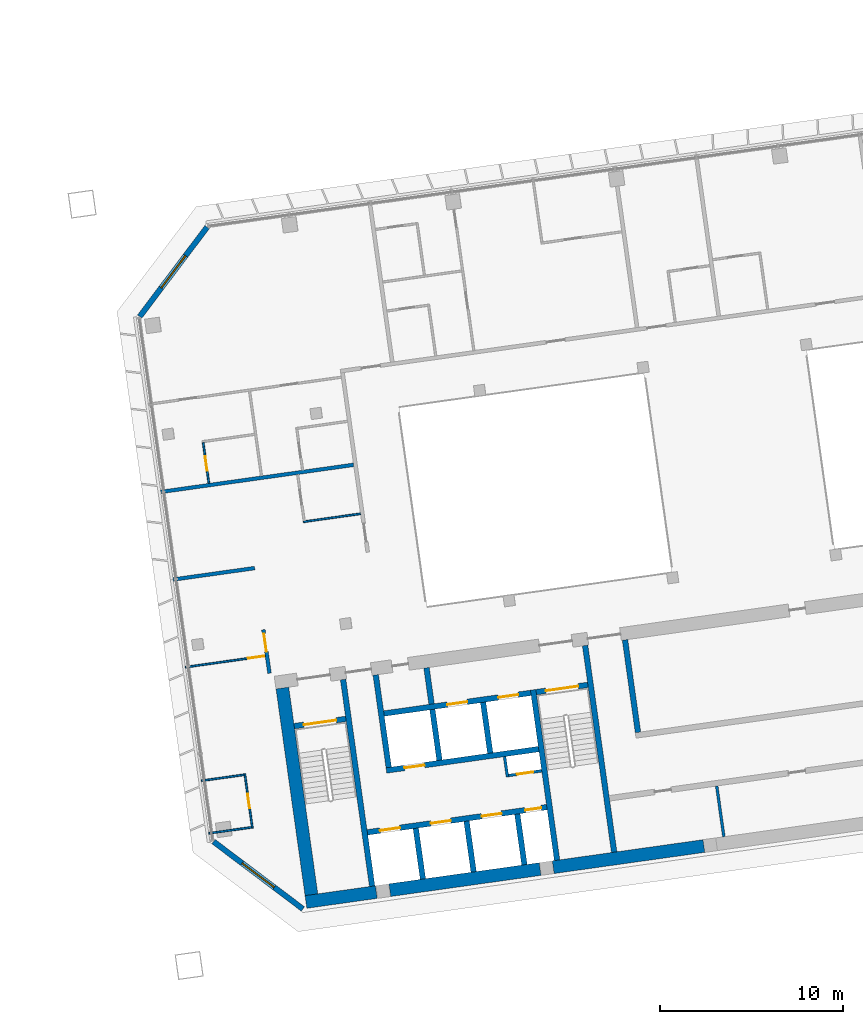
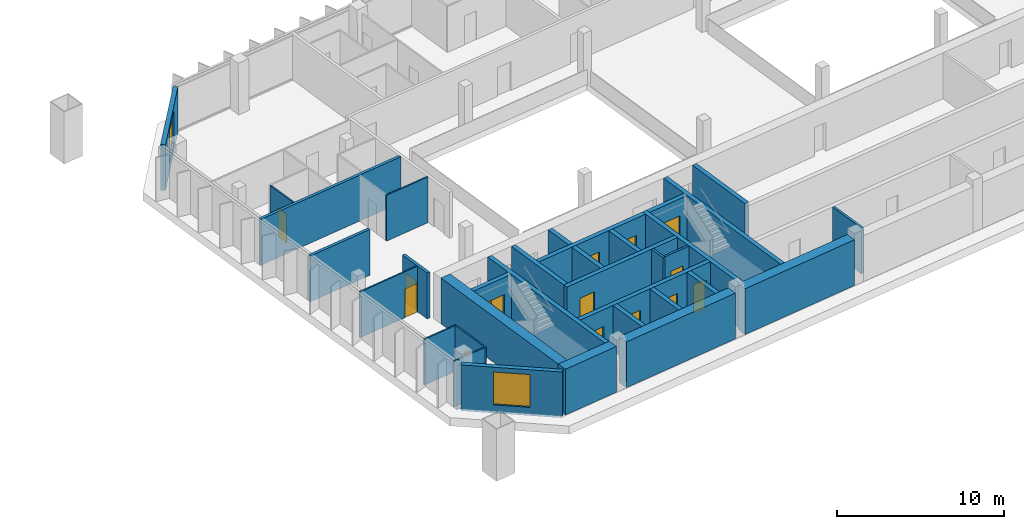
# One storey, part 21 of 31: 34 walls, 14 doors, 2 windows, 16 openings.
"""IFC4 building model written with IfcOpenShell, lengths in metres."""

from ifc_helpers import new_model, si_unit, direction, frame, frame_2d, origin, place, context, subcontext, project, spatial, rectangle, extrude, material, layer, layer_set, type_object, element, fill, save


model = new_model("IFC4")

# Units and contexts
model_context = context("Model", 3, precision=1e-05, world=origin(), true_north=direction((0.0, 1.0)))
body_context = subcontext(model_context, "Body", "Model", "MODEL_VIEW")
ifc_project = project(units=[si_unit("LENGTHUNIT", "METRE"), si_unit("AREAUNIT", "SQUARE_METRE"), si_unit("VOLUMEUNIT", "CUBIC_METRE"), si_unit("PLANEANGLEUNIT", "RADIAN"), si_unit("MASSUNIT", "GRAM", prefix="KILO")], contexts=[model_context])

# Site, building, storey
site_placement = place(None, origin())
site = spatial("IfcSite", under=ifc_project, at=site_placement, CompositionType="ELEMENT")
building_placement = place(site_placement, origin())
building = spatial("IfcBuilding", under=site, at=building_placement, Name="Mirante Cascada Hotel Towers", CompositionType="ELEMENT")
storey_placement = place(building_placement, frame((0.0, 0.0, 157.4)))
storey = spatial("IfcBuildingStorey", under=building, at=storey_placement, Name="L36", CompositionType="ELEMENT", Elevation=157.4)

# Walls
ifc_material_1 = material(Name="Fire-rated plasterboard on metal studs")
ifc_layer_1 = layer(ifc_material_1, 0.2)
ifc_layer_set_1 = layer_set([ifc_layer_1], Name="Compartment wall 200 EI 120")
wall_type_1 = type_object("IfcWallType", Name="Compartment wall 200 EI 120", PredefinedType="PARTITIONING", material=ifc_layer_set_1)
wall_1_placement = place(storey_placement, frame((29.9646, -2.005, 0.0), z_axis=(0.0, 0.0, 1.0), x_axis=(0.9902678, 0.1391748, 0.0)))
element("IfcWall", 1, at=wall_1_placement, inside=storey, type_object=wall_type_1, Name="Wall 2-L36-07", PredefinedType="PARTITIONING", context=body_context, shape_type="SweptSolid", body=[
    extrude(rectangle(XDim=4.5001, YDim=0.2, at=frame_2d((2.25, 0.0))), origin(), (0.0, 0.0, 1.0), 3.35),
])
wall_2_placement = place(storey_placement, frame((39.8242, 4.2615, 0.0), z_axis=(0.0, 0.0, 1.0), x_axis=(-0.9902681, -0.1391727, 0.0)))
element("IfcWall", 2, at=wall_2_placement, inside=storey, type_object=wall_type_1, Name="Wall 2-L36-14", PredefinedType="PARTITIONING", context=body_context, shape_type="SweptSolid", body=[
    extrude(rectangle(XDim=10.6357, YDim=0.2, at=frame_2d((5.3178, 0.0))), origin(), (0.0, 0.0, 1.0), 3.35),
])

# Wall, opening, door
wall_3_placement = place(storey_placement, frame((35.2281, -7.1222, 0.0), z_axis=(0.0, 0.0, 1.0), x_axis=(-0.1392101, 0.9902629, 0.0)))
wall_3 = element("IfcWall", 3, at=wall_3_placement, inside=storey, type_object=wall_type_1, Name="Wall 2-L36-29", PredefinedType="PARTITIONING", context=body_context, shape_type="SweptSolid", body=[
    extrude(rectangle(XDim=2.4, YDim=0.2, at=frame_2d((1.2, 0.0))), origin(), (0.0, 0.0, 1.0), 3.35),
])
opening_1_placement = place(wall_3_placement, frame((1.1833, 0.0, 0.0)))
opening_1 = element("IfcOpeningElement", 4, at=opening_1_placement, cuts=wall_3, Name="Opening D2-L36-20", PredefinedType="OPENING", context=body_context, shape_type="SweptSolid", body=[
    extrude(rectangle(XDim=1.0, YDim=2.1, at=frame_2d((0.5, 1.05))), frame((0.0, 0.1, 0.0), z_axis=(0.0, -1.0, 0.0), x_axis=(1.0, 0.0, 0.0)), (0.0, 0.0, 1.0), 0.2),
])
ifc_material_2 = material(Name="Fire-rated timber door leaf", Category="wood")
door_type_1 = type_object("IfcDoorType", Name="Entrance door DG1 1000x2100 EI 60", OperationType="SINGLE_SWING_LEFT", PredefinedType="DOOR", material=ifc_material_2)
door_1_placement = place(opening_1_placement, origin())
door_1 = element("IfcDoor", 5, at=door_1_placement, inside=storey, type_object=door_type_1, Name="Door D2-L36-20", OperationType="SINGLE_SWING_LEFT", OverallHeight=2.1, OverallWidth=1.0, PredefinedType="DOOR", context=body_context, shape_type="SweptSolid", body=[
    extrude(rectangle(XDim=1.0, YDim=2.1, at=frame_2d((0.5, 1.05))), frame((0.0, 0.025, 0.0), z_axis=(0.0, -1.0, 0.0), x_axis=(1.0, 0.0, 0.0)), (0.0, 0.0, 1.0), 0.05),
])
fill(opening_1, door_1)

# Wall
ifc_material_3 = material(Name="Masonry block", Category="masonry")
ifc_layer_2 = layer(ifc_material_3, 0.15)
ifc_layer_set_2 = layer_set([ifc_layer_2], Name="Core room partition 150 block EI 30")
wall_type_2 = type_object("IfcWallType", Name="Core room partition 150 block EI 30", PredefinedType="PARTITIONING", material=ifc_layer_set_2)
wall_4_placement = place(storey_placement, frame((48.2295, -12.793, 0.0), z_axis=(0.0, 0.0, 1.0), x_axis=(-0.1391935, 0.9902652, 0.0)))
element("IfcWall", 6, at=wall_4_placement, inside=storey, type_object=wall_type_2, Name="Core wall partition T2 L36 2", PredefinedType="PARTITIONING", context=body_context, shape_type="SweptSolid", body=[
    extrude(rectangle(XDim=1.1251, YDim=0.15, at=frame_2d((0.5626, 0.0))), origin(), (0.0, 0.0, 1.0), 3.35),
])

# Wall, opening, door
wall_5_placement = place(storey_placement, frame((48.2933, -12.7083, 0.0), z_axis=(0.0, 0.0, 1.0), x_axis=(0.990268, 0.1391734, 0.0)))
wall_5 = element("IfcWall", 7, at=wall_5_placement, inside=storey, type_object=wall_type_2, Name="Core wall partition T2 L36 3", PredefinedType="PARTITIONING", context=body_context, shape_type="SweptSolid", body=[
    extrude(rectangle(XDim=1.8251, YDim=0.15, at=frame_2d((0.9126, 0.0))), origin(), (0.0, 0.0, 1.0), 3.35),
])
opening_2_placement = place(wall_5_placement, frame((0.4625, 0.0, 0.0)))
opening_2 = element("IfcOpeningElement", 8, at=opening_2_placement, cuts=wall_5, Name="Opening D2-36-C17", PredefinedType="OPENING", context=body_context, shape_type="SweptSolid", body=[
    extrude(rectangle(XDim=0.9, YDim=2.1, at=frame_2d((0.45, 1.05))), frame((0.0, 0.075, 0.0), z_axis=(0.0, -1.0, 0.0), x_axis=(1.0, 0.0, 0.0)), (0.0, 0.0, 1.0), 0.15),
])
ifc_material_4 = material(Name="Hollow metal fire door leaf")
door_type_2 = type_object("IfcDoorType", Name="Fire door 900x2100 FD60", OperationType="NOTDEFINED", PredefinedType="DOOR", material=ifc_material_4)
door_2_placement = place(opening_2_placement, frame((0.9, 0.0, 0.0), z_axis=(0.0, 0.0, 1.0), x_axis=(-1.0, 0.0, 0.0)))
door_2 = element("IfcDoor", 9, at=door_2_placement, inside=storey, type_object=door_type_2, Name="Riser door T2 L36 17", OperationType="SINGLE_SWING_RIGHT", OverallHeight=2.1, OverallWidth=0.9, PredefinedType="DOOR", context=body_context, shape_type="SweptSolid", body=[
    extrude(rectangle(XDim=0.9, YDim=2.1, at=frame_2d((0.45, 1.05))), frame((0.0, 0.025, 0.0), z_axis=(0.0, -1.0, 0.0), x_axis=(1.0, 0.0, 0.0)), (0.0, 0.0, 1.0), 0.05),
])
fill(opening_2, door_2)

# Walls
wall_6_placement = place(storey_placement, frame((60.0485, -16.0548, 0.0), z_axis=(0.0, 0.0, 1.0), x_axis=(-0.139181, 0.990267, 0.0)))
element("IfcWall", 10, at=wall_6_placement, inside=storey, type_object=wall_type_2, Name="Core wall partition T2 L36 5", PredefinedType="PARTITIONING", context=body_context, shape_type="SweptSolid", body=[
    extrude(rectangle(XDim=2.8, YDim=0.15, at=frame_2d((1.4, 0.0))), origin(), (0.0, 0.0, 1.0), 3.35),
])
ifc_material_5 = material(Name="Masonry block", Category="masonry")
ifc_layer_3 = layer(ifc_material_5, 0.3)
ifc_layer_set_3 = layer_set([ifc_layer_3], Name="Core wall 300 block EI 120")
wall_type_3 = type_object("IfcWallType", Name="Core wall 300 block EI 120", PredefinedType="PARTITIONING", material=ifc_layer_set_3)
wall_7_placement = place(storey_placement, frame((44.0843, -8.8061, 0.0), z_axis=(0.0, 0.0, 1.0), x_axis=(-0.1391951, 0.990265, 0.0)))
element("IfcWall", 11, at=wall_7_placement, inside=storey, type_object=wall_type_3, Name="Core wall partition T2 L36 1", PredefinedType="PARTITIONING", context=body_context, shape_type="SweptSolid", body=[
    extrude(rectangle(XDim=2.0001, YDim=0.3, at=frame_2d((1.0001, 0.0))), origin(), (0.0, 0.0, 1.0), 3.35),
])
ifc_material_6 = material(Name="Plasterboard on metal studs")
ifc_layer_4 = layer(ifc_material_6, 0.1)
ifc_layer_set_4 = layer_set([ifc_layer_4], Name="Partition 100")
wall_type_4 = type_object("IfcWallType", Name="Partition 100", PredefinedType="PARTITIONING", material=ifc_layer_set_4)
for number, where, z_axis, x_axis, name in (
    (12, (31.9131, -15.8687, 0.0), (0.0, 0.0, 1.0), (0.9902712, 0.1391512, 0.0), "Wall 2-L36-01"),
    (13, (31.5095, -12.9969, 0.0), (0.0, 0.0, 1.0), (0.9902712, 0.1391512, 0.0), "Wall 2-L36-03"),
):
    element("IfcWall", number, at=place(storey_placement, frame(where, z_axis=z_axis, x_axis=x_axis)), inside=storey, type_object=wall_type_4, Name=name, PredefinedType="PARTITIONING", context=body_context, shape_type="SweptSolid", body=[
        extrude(rectangle(XDim=2.35, YDim=0.1, at=frame_2d((1.175, 0.0))), origin(), (0.0, 0.0, 1.0), 3.35),
    ])

# Wall, opening, door
wall_8_placement = place(storey_placement, frame((30.6373, -6.7912, 0.0), z_axis=(0.0, 0.0, 1.0), x_axis=(0.9902701, 0.1391587, 0.0)))
wall_8 = element("IfcWall", 14, at=wall_8_placement, inside=storey, type_object=wall_type_4, Name="Wall 2-L36-05", PredefinedType="PARTITIONING", context=body_context, shape_type="SweptSolid", body=[
    extrude(rectangle(XDim=4.4, YDim=0.1, at=frame_2d((2.2, 0.0))), origin(), (0.0, 0.0, 1.0), 3.35),
])
opening_3_placement = place(wall_8_placement, frame((3.45, 0.0, 0.0)))
opening_3 = element("IfcOpeningElement", 15, at=opening_3_placement, cuts=wall_8, Name="Opening D2-L36-01", PredefinedType="OPENING", context=body_context, shape_type="SweptSolid", body=[
    extrude(rectangle(XDim=0.9, YDim=2.1, at=frame_2d((0.45, 1.05))), frame((0.0, 0.05, 0.0), z_axis=(0.0, -1.0, 0.0), x_axis=(1.0, 0.0, 0.0)), (0.0, 0.0, 1.0), 0.1),
])
ifc_material_7 = material(Name="Timber door leaf", Category="wood")
door_type_3 = type_object("IfcDoorType", Name="Room door DG3 900x2100", OperationType="SINGLE_SWING_LEFT", PredefinedType="DOOR", material=ifc_material_7)
door_3_placement = place(opening_3_placement, frame((0.9, 0.0, 0.0), z_axis=(0.0, 0.0, 1.0), x_axis=(-1.0, 0.0, 0.0)))
door_3 = element("IfcDoor", 16, at=door_3_placement, inside=storey, type_object=door_type_3, Name="Door D2-L36-01", OperationType="SINGLE_SWING_RIGHT", OverallHeight=2.1, OverallWidth=0.9, PredefinedType="DOOR", context=body_context, shape_type="SweptSolid", body=[
    extrude(rectangle(XDim=0.9, YDim=2.1, at=frame_2d((0.45, 1.05))), frame((0.0, 0.025, 0.0), z_axis=(0.0, -1.0, 0.0), x_axis=(1.0, 0.0, 0.0)), (0.0, 0.0, 1.0), 0.05),
])
fill(opening_3, door_3)

# Wall
wall_9_placement = place(storey_placement, frame((37.0806, 1.1494, 0.0), z_axis=(0.0, 0.0, 1.0), x_axis=(0.9902676, 0.1391765, 0.0)))
element("IfcWall", 17, at=wall_9_placement, inside=storey, type_object=wall_type_4, Name="Wall 2-L36-11", PredefinedType="PARTITIONING", context=body_context, shape_type="SweptSolid", body=[
    extrude(rectangle(XDim=3.15, YDim=0.1, at=frame_2d((1.575, 0.0))), origin(), (0.0, 0.0, 1.0), 3.35),
])

# Wall, opening, door
wall_10_placement = place(storey_placement, frame((34.2967, -15.5842, 0.0), z_axis=(0.0, 0.0, 1.0), x_axis=(-0.139167, 0.9902689, 0.0)))
wall_10 = element("IfcWall", 18, at=wall_10_placement, inside=storey, type_object=wall_type_4, Name="Wall 2-L36-27", PredefinedType="PARTITIONING", context=body_context, shape_type="SweptSolid", body=[
    extrude(rectangle(XDim=3.0, YDim=0.1, at=frame_2d((1.5, 0.0))), origin(), (0.0, 0.0, 1.0), 3.35),
])
opening_4_placement = place(wall_10_placement, frame((1.1, 0.0, 0.0)))
opening_4 = element("IfcOpeningElement", 19, at=opening_4_placement, cuts=wall_10, Name="Opening D2-L36-18", PredefinedType="OPENING", context=body_context, shape_type="SweptSolid", body=[
    extrude(rectangle(XDim=0.8, YDim=2.1, at=frame_2d((0.4, 1.05))), frame((0.0, 0.05, 0.0), z_axis=(0.0, -1.0, 0.0), x_axis=(1.0, 0.0, 0.0)), (0.0, 0.0, 1.0), 0.1),
])
ifc_material_8 = material(Name="Timber door leaf", Category="wood")
door_type_4 = type_object("IfcDoorType", Name="Bathroom door DG4 800x2100", OperationType="SINGLE_SWING_LEFT", PredefinedType="DOOR", material=ifc_material_8)
door_4_placement = place(opening_4_placement, frame((0.8, 0.0, 0.0), z_axis=(0.0, 0.0, 1.0), x_axis=(-1.0, 0.0, 0.0)))
door_4 = element("IfcDoor", 20, at=door_4_placement, inside=storey, type_object=door_type_4, Name="Door D2-L36-18", OperationType="SINGLE_SWING_RIGHT", OverallHeight=2.1, OverallWidth=0.8, PredefinedType="DOOR", context=body_context, shape_type="SweptSolid", body=[
    extrude(rectangle(XDim=0.8, YDim=2.1, at=frame_2d((0.4, 1.05))), frame((0.0, 0.025, 0.0), z_axis=(0.0, -1.0, 0.0), x_axis=(1.0, 0.0, 0.0)), (0.0, 0.0, 1.0), 0.05),
])
fill(opening_4, door_4)

wall_11_placement = place(storey_placement, frame((31.6068, 5.4797, 0.0), z_axis=(0.0, 0.0, 1.0), x_axis=(0.1391561, -0.9902705, 0.0)))
wall_11 = element("IfcWall", 21, at=wall_11_placement, inside=storey, type_object=wall_type_4, Name="Wall 2-L36-28", PredefinedType="PARTITIONING", context=body_context, shape_type="SweptSolid", body=[
    extrude(rectangle(XDim=2.25, YDim=0.1, at=frame_2d((1.125, 0.0))), origin(), (0.0, 0.0, 1.0), 3.35),
])
opening_5_placement = place(wall_11_placement, frame((0.75, 0.0, 0.0)))
opening_5 = element("IfcOpeningElement", 22, at=opening_5_placement, cuts=wall_11, Name="Opening D2-L36-19", PredefinedType="OPENING", context=body_context, shape_type="SweptSolid", body=[
    extrude(rectangle(XDim=0.8, YDim=2.1, at=frame_2d((0.4, 1.05))), frame((0.0, 0.05, 0.0), z_axis=(0.0, -1.0, 0.0), x_axis=(1.0, 0.0, 0.0)), (0.0, 0.0, 1.0), 0.1),
])
door_5_placement = place(opening_5_placement, origin())
door_5 = element("IfcDoor", 23, at=door_5_placement, inside=storey, type_object=door_type_4, Name="Door D2-L36-19", OperationType="SINGLE_SWING_LEFT", OverallHeight=2.1, OverallWidth=0.8, PredefinedType="DOOR", context=body_context, shape_type="SweptSolid", body=[
    extrude(rectangle(XDim=0.8, YDim=2.1, at=frame_2d((0.4, 1.05))), frame((0.0, 0.025, 0.0), z_axis=(0.0, -1.0, 0.0), x_axis=(1.0, 0.0, 0.0)), (0.0, 0.0, 1.0), 0.05),
])
fill(opening_5, door_5)

# Wall, opening, window
ifc_material_9 = material(Name="Precast concrete C40/50", Category="concrete")
ifc_layer_5 = layer(ifc_material_9, 0.3)
ifc_layer_set_5 = layer_set([ifc_layer_5], Name="Precast concrete C40/50 cladding wall 300")
wall_type_5 = type_object("IfcWallType", Name="Precast concrete C40/50 cladding wall 300", PredefinedType="STANDARD", material=ifc_layer_set_5)
wall_12_placement = place(storey_placement, frame((31.8216, 17.247, 0.0), z_axis=(0.0, 0.0, 1.0), x_axis=(-0.6018141, -0.7986362, 0.0)))
wall_12 = element("IfcWall", 24, at=wall_12_placement, inside=storey, type_object=wall_type_5, Name="Corner cladding wall T2 L36 front inner", PredefinedType="STANDARD", context=body_context, shape_type="SweptSolid", body=[
    extrude(rectangle(XDim=6.1157, YDim=0.3, at=frame_2d((3.0578, 0.0))), origin(), (0.0, 0.0, 1.0), 3.35),
])
opening_6_placement = place(wall_12_placement, frame((1.9578, 0.0, 0.6)))
opening_6 = element("IfcOpeningElement", 25, at=opening_6_placement, cuts=wall_12, Name="Opening W2-36-03", PredefinedType="OPENING", context=body_context, shape_type="SweptSolid", body=[
    extrude(rectangle(XDim=2.2, YDim=2.4, at=frame_2d((1.1, 1.2))), frame((0.0, 0.15, 0.0), z_axis=(0.0, -1.0, 0.0), x_axis=(1.0, 0.0, 0.0)), (0.0, 0.0, 1.0), 0.3),
])
ifc_material_10 = material(Name="Aluminium frame with clear double glazing", Category="aluminium")
window_type = type_object("IfcWindowType", Name="Corner suite window 2200x2400", PartitioningType="DOUBLE_PANEL_VERTICAL", PredefinedType="WINDOW", material=ifc_material_10)
window_1_placement = place(opening_6_placement, origin())
window_1 = element("IfcWindow", 26, at=window_1_placement, inside=storey, type_object=window_type, Name="Window W2-36-03", OverallHeight=2.4, OverallWidth=2.2, PartitioningType="SINGLE_PANEL", PredefinedType="WINDOW", context=body_context, shape_type="SweptSolid", body=[
    extrude(rectangle(XDim=2.2, YDim=2.4, at=frame_2d((1.1, 1.2))), frame((0.0, 0.03, 0.0), z_axis=(0.0, -1.0, 0.0), x_axis=(1.0, 0.0, 0.0)), (0.0, 0.0, 1.0), 0.06),
])
fill(opening_6, window_1)

wall_13_placement = place(storey_placement, frame((32.172, -16.3188, 0.0), z_axis=(0.0, 0.0, 1.0), x_axis=(0.7986362, -0.6018141, 0.0)))
wall_13 = element("IfcWall", 27, at=wall_13_placement, inside=storey, type_object=wall_type_5, Name="Corner cladding wall T2 L36 inner rear", PredefinedType="STANDARD", context=body_context, shape_type="SweptSolid", body=[
    extrude(rectangle(XDim=6.1157, YDim=0.3, at=frame_2d((3.0578, 0.0))), origin(), (0.0, 0.0, 1.0), 3.35),
])
opening_7_placement = place(wall_13_placement, frame((1.9578, 0.0, 0.6)))
opening_7 = element("IfcOpeningElement", 28, at=opening_7_placement, cuts=wall_13, Name="Opening W2-36-04", PredefinedType="OPENING", context=body_context, shape_type="SweptSolid", body=[
    extrude(rectangle(XDim=2.2, YDim=2.4, at=frame_2d((1.1, 1.2))), frame((0.0, 0.15, 0.0), z_axis=(0.0, -1.0, 0.0), x_axis=(1.0, 0.0, 0.0)), (0.0, 0.0, 1.0), 0.3),
])
window_2_placement = place(opening_7_placement, origin())
window_2 = element("IfcWindow", 29, at=window_2_placement, inside=storey, type_object=window_type, Name="Window W2-36-04", OverallHeight=2.4, OverallWidth=2.2, PartitioningType="SINGLE_PANEL", PredefinedType="WINDOW", context=body_context, shape_type="SweptSolid", body=[
    extrude(rectangle(XDim=2.2, YDim=2.4, at=frame_2d((1.1, 1.2))), frame((0.0, 0.03, 0.0), z_axis=(0.0, -1.0, 0.0), x_axis=(1.0, 0.0, 0.0)), (0.0, 0.0, 1.0), 0.06),
])
fill(opening_7, window_2)

# Walls
ifc_material_11 = material(Name="Concrete C50/60", Category="concrete")
ifc_layer_6 = layer(ifc_material_11, 0.3)
ifc_layer_set_6 = layer_set([ifc_layer_6], Name="RC core wall 300 C50/60")
wall_type_6 = type_object("IfcWallType", Name="RC core wall 300 C50/60", PredefinedType="SHEAR", material=ifc_layer_set_6)
wall_14_placement = place(storey_placement, frame((40.8373, -18.7548, 0.0), z_axis=(0.0, 0.0, 1.0), x_axis=(-0.1391749, 0.9902678, 0.0)))
element("IfcWall", 30, at=wall_14_placement, inside=storey, type_object=wall_type_6, Name="Core wall T2:L36:5", PredefinedType="SHEAR", context=body_context, shape_type="SweptSolid", body=[
    extrude(rectangle(XDim=11.4, YDim=0.3, at=frame_2d((5.7, 0.0))), origin(), (0.0, 0.0, 1.0), 3.35),
])
wall_15_placement = place(storey_placement, frame((50.938, -17.3352, 0.0), z_axis=(0.0, 0.0, 1.0), x_axis=(-0.1391706, 0.9902684, 0.0)))
element("IfcWall", 31, at=wall_15_placement, inside=storey, type_object=wall_type_6, Name="Core wall T2:L36:6", PredefinedType="SHEAR", context=body_context, shape_type="SweptSolid", body=[
    extrude(rectangle(XDim=9.4, YDim=0.3, at=frame_2d((4.7, 0.0))), origin(), (0.0, 0.0, 1.0), 3.35),
])
wall_16_placement = place(storey_placement, frame((54.0574, -16.8968, 0.0), z_axis=(0.0, 0.0, 1.0), x_axis=(-0.1391761, 0.9902677, 0.0)))
element("IfcWall", 32, at=wall_16_placement, inside=storey, type_object=wall_type_6, Name="Core wall T2:L36:7", PredefinedType="SHEAR", context=body_context, shape_type="SweptSolid", body=[
    extrude(rectangle(XDim=11.3999, YDim=0.3, at=frame_2d((5.7, 0.0))), origin(), (0.0, 0.0, 1.0), 3.35),
])

# Wall, opening, door
wall_17_placement = place(storey_placement, frame((36.5791, -10.0123, 0.0), z_axis=(0.0, 0.0, 1.0), x_axis=(0.9902704, 0.1391564, 0.0)))
wall_17 = element("IfcWall", 33, at=wall_17_placement, inside=storey, type_object=wall_type_6, Name="Core wall T2:L36:9", PredefinedType="SHEAR", context=body_context, shape_type="SweptSolid", body=[
    extrude(rectangle(XDim=2.85, YDim=0.3, at=frame_2d((1.425, 0.0))), origin(), (0.0, 0.0, 1.0), 3.35),
])
opening_8_placement = place(wall_17_placement, frame((0.525, 0.0, 0.0)))
opening_8 = element("IfcOpeningElement", 34, at=opening_8_placement, cuts=wall_17, Name="Opening D2-36-C07", PredefinedType="OPENING", context=body_context, shape_type="SweptSolid", body=[
    extrude(rectangle(XDim=1.8, YDim=2.1, at=frame_2d((0.9, 1.05))), frame((0.0, 0.15, 0.0), z_axis=(0.0, -1.0, 0.0), x_axis=(1.0, 0.0, 0.0)), (0.0, 0.0, 1.0), 0.3),
])
ifc_material_12 = material(Name="Hollow metal fire door leaf")
door_type_5 = type_object("IfcDoorType", Name="Double fire door 1800x2100 FD60", OperationType="DOUBLE_DOOR_SINGLE_SWING", PredefinedType="DOOR", material=ifc_material_12)
door_6_placement = place(opening_8_placement, frame((1.8, 0.0, 0.0), z_axis=(0.0, 0.0, 1.0), x_axis=(-1.0, 0.0, 0.0)))
door_6 = element("IfcDoor", 35, at=door_6_placement, inside=storey, type_object=door_type_5, Name="Stair door T2 L36 7", OperationType="DOUBLE_DOOR_SINGLE_SWING", OverallHeight=2.1, OverallWidth=1.8, PredefinedType="DOOR", context=body_context, shape_type="SweptSolid", body=[
    extrude(rectangle(XDim=0.895, YDim=2.1, at=frame_2d((0.4475, 1.05))), frame((0.0, 0.025, 0.0), z_axis=(0.0, -1.0, 0.0), x_axis=(1.0, 0.0, 0.0)), (0.0, 0.0, 1.0), 0.05),
    extrude(rectangle(XDim=0.895, YDim=2.1, at=frame_2d((1.3525, 1.05))), frame((0.0, 0.025, 0.0), z_axis=(0.0, -1.0, 0.0), x_axis=(1.0, 0.0, 0.0)), (0.0, 0.0, 1.0), 0.05),
])
fill(opening_8, door_6)

wall_18_placement = place(storey_placement, frame((49.7992, -8.1544, 0.0), z_axis=(0.0, 0.0, 1.0), x_axis=(0.9902656, 0.1391909, 0.0)))
wall_18 = element("IfcWall", 36, at=wall_18_placement, inside=storey, type_object=wall_type_6, Name="Core wall T2:L36:10", PredefinedType="SHEAR", context=body_context, shape_type="SweptSolid", body=[
    extrude(rectangle(XDim=2.85, YDim=0.3, at=frame_2d((1.425, 0.0))), origin(), (0.0, 0.0, 1.0), 3.35),
])
opening_9_placement = place(wall_18_placement, frame((0.525, 0.0, 0.0)))
opening_9 = element("IfcOpeningElement", 37, at=opening_9_placement, cuts=wall_18, Name="Opening D2-36-C09", PredefinedType="OPENING", context=body_context, shape_type="SweptSolid", body=[
    extrude(rectangle(XDim=1.8, YDim=2.1, at=frame_2d((0.9, 1.05))), frame((0.0, 0.15, 0.0), z_axis=(0.0, -1.0, 0.0), x_axis=(1.0, 0.0, 0.0)), (0.0, 0.0, 1.0), 0.3),
])
door_7_placement = place(opening_9_placement, frame((1.8, 0.0, 0.0), z_axis=(0.0, 0.0, 1.0), x_axis=(-1.0, 0.0, 0.0)))
door_7 = element("IfcDoor", 38, at=door_7_placement, inside=storey, type_object=door_type_5, Name="Stair door T2 L36 9", OperationType="DOUBLE_DOOR_SINGLE_SWING", OverallHeight=2.1, OverallWidth=1.8, PredefinedType="DOOR", context=body_context, shape_type="SweptSolid", body=[
    extrude(rectangle(XDim=0.895, YDim=2.1, at=frame_2d((0.4475, 1.05))), frame((0.0, 0.025, 0.0), z_axis=(0.0, -1.0, 0.0), x_axis=(1.0, 0.0, 0.0)), (0.0, 0.0, 1.0), 0.05),
    extrude(rectangle(XDim=0.895, YDim=2.1, at=frame_2d((1.3525, 1.05))), frame((0.0, 0.025, 0.0), z_axis=(0.0, -1.0, 0.0), x_axis=(1.0, 0.0, 0.0)), (0.0, 0.0, 1.0), 0.05),
])
fill(opening_9, door_7)

# Wall, openings, doors
wall_19_placement = place(storey_placement, frame((40.5753, -15.8126, 0.0), z_axis=(0.0, 0.0, 1.0), x_axis=(0.9902682, 0.1391725, 0.0)))
wall_19 = element("IfcWall", 39, at=wall_19_placement, inside=storey, type_object=wall_type_6, Name="Core wall T2:L36:12", PredefinedType="SHEAR", context=body_context, shape_type="SweptSolid", body=[
    extrude(rectangle(XDim=9.8999, YDim=0.3, at=frame_2d((4.95, 0.0))), origin(), (0.0, 0.0, 1.0), 3.35),
])
opening_10_placement = place(wall_19_placement, frame((0.7, 0.0, 0.0)))
opening_10 = element("IfcOpeningElement", 40, at=opening_10_placement, cuts=wall_19, Name="Opening LD", PredefinedType="OPENING", context=body_context, shape_type="SweptSolid", body=[
    extrude(rectangle(XDim=1.1, YDim=2.1, at=frame_2d((0.55, 1.05))), frame((0.0, 0.15, 0.0), z_axis=(0.0, -1.0, 0.0), x_axis=(1.0, 0.0, 0.0)), (0.0, 0.0, 1.0), 0.3),
])
opening_11_placement = place(wall_19_placement, frame((3.5, 0.0, 0.0)))
opening_11 = element("IfcOpeningElement", 41, at=opening_11_placement, cuts=wall_19, Name="Opening LD", PredefinedType="OPENING", context=body_context, shape_type="SweptSolid", body=[
    extrude(rectangle(XDim=1.1, YDim=2.1, at=frame_2d((0.55, 1.05))), frame((0.0, 0.15, 0.0), z_axis=(0.0, -1.0, 0.0), x_axis=(1.0, 0.0, 0.0)), (0.0, 0.0, 1.0), 0.3),
])
opening_12_placement = place(wall_19_placement, frame((6.3, 0.0, 0.0)))
opening_12 = element("IfcOpeningElement", 42, at=opening_12_placement, cuts=wall_19, Name="Opening LD", PredefinedType="OPENING", context=body_context, shape_type="SweptSolid", body=[
    extrude(rectangle(XDim=1.1, YDim=2.1, at=frame_2d((0.55, 1.05))), frame((0.0, 0.15, 0.0), z_axis=(0.0, -1.0, 0.0), x_axis=(1.0, 0.0, 0.0)), (0.0, 0.0, 1.0), 0.3),
])
opening_13_placement = place(wall_19_placement, frame((8.7, 0.0, 0.0)))
opening_13 = element("IfcOpeningElement", 43, at=opening_13_placement, cuts=wall_19, Name="Opening D2-36-C16", PredefinedType="OPENING", context=body_context, shape_type="SweptSolid", body=[
    extrude(rectangle(XDim=0.9, YDim=2.1, at=frame_2d((0.45, 1.05))), frame((0.0, 0.15, 0.0), z_axis=(0.0, -1.0, 0.0), x_axis=(1.0, 0.0, 0.0)), (0.0, 0.0, 1.0), 0.3),
])
door_8_placement = place(opening_13_placement, frame((0.9, 0.0, 0.0), z_axis=(0.0, 0.0, 1.0), x_axis=(-1.0, 0.0, 0.0)))
door_8 = element("IfcDoor", 44, at=door_8_placement, inside=storey, type_object=door_type_2, Name="Riser door T2 L36 16", OperationType="SINGLE_SWING_RIGHT", OverallHeight=2.1, OverallWidth=0.9, PredefinedType="DOOR", context=body_context, shape_type="SweptSolid", body=[
    extrude(rectangle(XDim=0.9, YDim=2.1, at=frame_2d((0.45, 1.05))), frame((0.0, 0.025, 0.0), z_axis=(0.0, -1.0, 0.0), x_axis=(1.0, 0.0, 0.0)), (0.0, 0.0, 1.0), 0.05),
])
fill(opening_13, door_8)
ifc_material_13 = material(Name="Stainless steel", Category="steel")
door_type_6 = type_object("IfcDoorType", Name="Lift landing door 1100x2100 EI 120", OperationType="DOUBLE_DOOR_SLIDING", PredefinedType="DOOR", material=ifc_material_13)
door_9_placement = place(opening_10_placement, origin())
door_9 = element("IfcDoor", 45, at=door_9_placement, inside=storey, type_object=door_type_6, Name="Lift landing door HR2-1 L36", OperationType="DOUBLE_DOOR_SLIDING", OverallHeight=2.1, OverallWidth=1.1, PredefinedType="DOOR", context=body_context, shape_type="SweptSolid", body=[
    extrude(rectangle(XDim=0.545, YDim=2.1, at=frame_2d((0.2725, 1.05))), frame((0.0, 0.025, 0.0), z_axis=(0.0, -1.0, 0.0), x_axis=(1.0, 0.0, 0.0)), (0.0, 0.0, 1.0), 0.05),
    extrude(rectangle(XDim=0.545, YDim=2.1, at=frame_2d((0.8275, 1.05))), frame((0.0, 0.025, 0.0), z_axis=(0.0, -1.0, 0.0), x_axis=(1.0, 0.0, 0.0)), (0.0, 0.0, 1.0), 0.05),
])
fill(opening_10, door_9)
door_10_placement = place(opening_11_placement, origin())
door_10 = element("IfcDoor", 46, at=door_10_placement, inside=storey, type_object=door_type_6, Name="Lift landing door HR2-2 L36", OperationType="DOUBLE_DOOR_SLIDING", OverallHeight=2.1, OverallWidth=1.1, PredefinedType="DOOR", context=body_context, shape_type="SweptSolid", body=[
    extrude(rectangle(XDim=0.545, YDim=2.1, at=frame_2d((0.2725, 1.05))), frame((0.0, 0.025, 0.0), z_axis=(0.0, -1.0, 0.0), x_axis=(1.0, 0.0, 0.0)), (0.0, 0.0, 1.0), 0.05),
    extrude(rectangle(XDim=0.545, YDim=2.1, at=frame_2d((0.8275, 1.05))), frame((0.0, 0.025, 0.0), z_axis=(0.0, -1.0, 0.0), x_axis=(1.0, 0.0, 0.0)), (0.0, 0.0, 1.0), 0.05),
])
fill(opening_11, door_10)
door_11_placement = place(opening_12_placement, origin())
door_11 = element("IfcDoor", 47, at=door_11_placement, inside=storey, type_object=door_type_6, Name="Lift landing door HR2-3 L36", OperationType="DOUBLE_DOOR_SLIDING", OverallHeight=2.1, OverallWidth=1.1, PredefinedType="DOOR", context=body_context, shape_type="SweptSolid", body=[
    extrude(rectangle(XDim=0.545, YDim=2.1, at=frame_2d((0.2725, 1.05))), frame((0.0, 0.025, 0.0), z_axis=(0.0, -1.0, 0.0), x_axis=(1.0, 0.0, 0.0)), (0.0, 0.0, 1.0), 0.05),
    extrude(rectangle(XDim=0.545, YDim=2.1, at=frame_2d((0.8275, 1.05))), frame((0.0, 0.025, 0.0), z_axis=(0.0, -1.0, 0.0), x_axis=(1.0, 0.0, 0.0)), (0.0, 0.0, 1.0), 0.05),
])
fill(opening_12, door_11)

# Wall, opening, door
wall_20_placement = place(storey_placement, frame((41.6153, -12.435, 0.0), z_axis=(0.0, 0.0, 1.0), x_axis=(0.9902691, 0.139166, 0.0)))
wall_20 = element("IfcWall", 48, at=wall_20_placement, inside=storey, type_object=wall_type_6, Name="Core wall T2:L36:13", PredefinedType="SHEAR", context=body_context, shape_type="SweptSolid", body=[
    extrude(rectangle(XDim=8.4, YDim=0.3, at=frame_2d((4.2, 0.0))), origin(), (0.0, 0.0, 1.0), 3.35),
])
opening_14_placement = place(wall_20_placement, frame((1.0, 0.0, 0.0)))
opening_14 = element("IfcOpeningElement", 49, at=opening_14_placement, cuts=wall_20, Name="Opening LD", PredefinedType="OPENING", context=body_context, shape_type="SweptSolid", body=[
    extrude(rectangle(XDim=1.1, YDim=2.1, at=frame_2d((0.55, 1.05))), frame((0.0, 0.15, 0.0), z_axis=(0.0, -1.0, 0.0), x_axis=(1.0, 0.0, 0.0)), (0.0, 0.0, 1.0), 0.3),
])
door_12_placement = place(opening_14_placement, origin())
door_12 = element("IfcDoor", 50, at=door_12_placement, inside=storey, type_object=door_type_6, Name="Lift landing door HR2-4 L36", OperationType="DOUBLE_DOOR_SLIDING", OverallHeight=2.1, OverallWidth=1.1, PredefinedType="DOOR", context=body_context, shape_type="SweptSolid", body=[
    extrude(rectangle(XDim=0.545, YDim=2.1, at=frame_2d((0.2725, 1.05))), frame((0.0, 0.025, 0.0), z_axis=(0.0, -1.0, 0.0), x_axis=(1.0, 0.0, 0.0)), (0.0, 0.0, 1.0), 0.05),
    extrude(rectangle(XDim=0.545, YDim=2.1, at=frame_2d((0.8275, 1.05))), frame((0.0, 0.025, 0.0), z_axis=(0.0, -1.0, 0.0), x_axis=(1.0, 0.0, 0.0)), (0.0, 0.0, 1.0), 0.05),
])
fill(opening_14, door_12)

# Wall, openings, doors
wall_21_placement = place(storey_placement, frame((41.481, -9.3234, 0.0), z_axis=(0.0, 0.0, 1.0), x_axis=(0.9902679, 0.1391741, 0.0)))
wall_21 = element("IfcWall", 51, at=wall_21_placement, inside=storey, type_object=wall_type_6, Name="Core wall T2:L36:14", PredefinedType="SHEAR", context=body_context, shape_type="SweptSolid", body=[
    extrude(rectangle(XDim=8.0999, YDim=0.3, at=frame_2d((4.05, 0.0))), origin(), (0.0, 0.0, 1.0), 3.35),
])
opening_15_placement = place(wall_21_placement, frame((3.5, 0.0, 0.0)))
opening_15 = element("IfcOpeningElement", 52, at=opening_15_placement, cuts=wall_21, Name="Opening LD", PredefinedType="OPENING", context=body_context, shape_type="SweptSolid", body=[
    extrude(rectangle(XDim=1.1, YDim=2.1, at=frame_2d((0.55, 1.05))), frame((0.0, 0.15, 0.0), z_axis=(0.0, -1.0, 0.0), x_axis=(1.0, 0.0, 0.0)), (0.0, 0.0, 1.0), 0.3),
])
opening_16_placement = place(wall_21_placement, frame((6.3, 0.0, 0.0)))
opening_16 = element("IfcOpeningElement", 53, at=opening_16_placement, cuts=wall_21, Name="Opening LD", PredefinedType="OPENING", context=body_context, shape_type="SweptSolid", body=[
    extrude(rectangle(XDim=1.1, YDim=2.1, at=frame_2d((0.55, 1.05))), frame((0.0, 0.15, 0.0), z_axis=(0.0, -1.0, 0.0), x_axis=(1.0, 0.0, 0.0)), (0.0, 0.0, 1.0), 0.3),
])
door_13_placement = place(opening_15_placement, origin())
door_13 = element("IfcDoor", 54, at=door_13_placement, inside=storey, type_object=door_type_6, Name="Lift landing door FF3 L36", OperationType="DOUBLE_DOOR_SLIDING", OverallHeight=2.1, OverallWidth=1.1, PredefinedType="DOOR", context=body_context, shape_type="SweptSolid", body=[
    extrude(rectangle(XDim=0.545, YDim=2.1, at=frame_2d((0.2725, 1.05))), frame((0.0, 0.025, 0.0), z_axis=(0.0, -1.0, 0.0), x_axis=(1.0, 0.0, 0.0)), (0.0, 0.0, 1.0), 0.05),
    extrude(rectangle(XDim=0.545, YDim=2.1, at=frame_2d((0.8275, 1.05))), frame((0.0, 0.025, 0.0), z_axis=(0.0, -1.0, 0.0), x_axis=(1.0, 0.0, 0.0)), (0.0, 0.0, 1.0), 0.05),
])
fill(opening_15, door_13)
door_14_placement = place(opening_16_placement, origin())
door_14 = element("IfcDoor", 55, at=door_14_placement, inside=storey, type_object=door_type_6, Name="Lift landing door FF4 L36", OperationType="DOUBLE_DOOR_SLIDING", OverallHeight=2.1, OverallWidth=1.1, PredefinedType="DOOR", context=body_context, shape_type="SweptSolid", body=[
    extrude(rectangle(XDim=0.545, YDim=2.1, at=frame_2d((0.2725, 1.05))), frame((0.0, 0.025, 0.0), z_axis=(0.0, -1.0, 0.0), x_axis=(1.0, 0.0, 0.0)), (0.0, 0.0, 1.0), 0.05),
    extrude(rectangle(XDim=0.545, YDim=2.1, at=frame_2d((0.8275, 1.05))), frame((0.0, 0.025, 0.0), z_axis=(0.0, -1.0, 0.0), x_axis=(1.0, 0.0, 0.0)), (0.0, 0.0, 1.0), 0.05),
])
fill(opening_16, door_14)

# Walls
wall_22_placement = place(storey_placement, frame((43.61, -18.3651, 0.0), z_axis=(0.0, 0.0, 1.0), x_axis=(-0.1391459, 0.9902719, 0.0)))
element("IfcWall", 56, at=wall_22_placement, inside=storey, type_object=wall_type_6, Name="Core wall T2:L36:15", PredefinedType="SHEAR", context=body_context, shape_type="SweptSolid", body=[
    extrude(rectangle(XDim=2.7999, YDim=0.3, at=frame_2d((1.4, 0.0))), origin(), (0.0, 0.0, 1.0), 3.35),
])
wall_23_placement = place(storey_placement, frame((46.3828, -17.9754, 0.0), z_axis=(0.0, 0.0, 1.0), x_axis=(-0.139181, 0.990267, 0.0)))
element("IfcWall", 57, at=wall_23_placement, inside=storey, type_object=wall_type_6, Name="Core wall T2:L36:16", PredefinedType="SHEAR", context=body_context, shape_type="SweptSolid", body=[
    extrude(rectangle(XDim=2.8, YDim=0.3, at=frame_2d((1.4, 0.0))), origin(), (0.0, 0.0, 1.0), 3.35),
])
wall_24_placement = place(storey_placement, frame((49.1555, -17.5857, 0.0), z_axis=(0.0, 0.0, 1.0), x_axis=(-0.1391459, 0.9902719, 0.0)))
element("IfcWall", 58, at=wall_24_placement, inside=storey, type_object=wall_type_6, Name="Core wall T2:L36:17", PredefinedType="SHEAR", context=body_context, shape_type="SweptSolid", body=[
    extrude(rectangle(XDim=2.7999, YDim=0.3, at=frame_2d((1.4, 0.0))), origin(), (0.0, 0.0, 1.0), 3.35),
])
for number, where, z_axis, x_axis, name in (
    (59, (44.5157, -11.8759, 0.0), (0.0, 0.0, 1.0), (-0.139181, 0.990267, 0.0), "Core wall T2:L36:18"),
    (60, (47.2885, -11.4862, 0.0), (0.0, 0.0, 1.0), (-0.139181, 0.990267, 0.0), "Core wall T2:L36:19"),
):
    element("IfcWall", number, at=place(storey_placement, frame(where, z_axis=z_axis, x_axis=x_axis)), inside=storey, type_object=wall_type_6, Name=name, PredefinedType="SHEAR", context=body_context, shape_type="SweptSolid", body=[
        extrude(rectangle(XDim=2.8, YDim=0.3, at=frame_2d((1.4, 0.0))), origin(), (0.0, 0.0, 1.0), 3.35),
    ])
for number, where, z_axis, x_axis, name in (
    (61, (41.743, -12.2656, 0.0), (0.0, 0.0, 1.0), (-0.1391755, 0.9902677, 0.0), "Core wall T2:L36:20"),
    (62, (55.3592, -10.352, 0.0), (0.0, 0.0, 1.0), (-0.1391755, 0.9902677, 0.0), "Core wall T2:L36:29"),
):
    element("IfcWall", number, at=place(storey_placement, frame(where, z_axis=z_axis, x_axis=x_axis)), inside=storey, type_object=wall_type_6, Name=name, PredefinedType="SHEAR", context=body_context, shape_type="SweptSolid", body=[
        extrude(rectangle(XDim=5.1, YDim=0.3, at=frame_2d((2.55, 0.0))), origin(), (0.0, 0.0, 1.0), 3.35),
    ])
ifc_material_14 = material(Name="Concrete C50/60", Category="concrete")
ifc_layer_7 = layer(ifc_material_14, 0.7)
ifc_layer_set_7 = layer_set([ifc_layer_7], Name="RC core wall 700 C50/60")
wall_type_7 = type_object("IfcWallType", Name="RC core wall 700 C50/60", PredefinedType="SHEAR", material=ifc_layer_set_7)
wall_25_placement = place(storey_placement, frame((37.222, -19.6163, 0.0), z_axis=(0.0, 0.0, 1.0), x_axis=(0.99027, 0.1391597, 0.0)))
element("IfcWall", 63, at=wall_25_placement, inside=storey, type_object=wall_type_7, Name="Core wall T2:L36:1.1", PredefinedType="SHEAR", context=body_context, shape_type="SweptSolid", body=[
    extrude(rectangle(XDim=3.8819, YDim=0.7, at=frame_2d((1.941, 0.0))), origin(), (0.0, 0.0, 1.0), 3.35),
])
wall_26_placement = place(storey_placement, frame((41.8032, -18.9725, 0.0), z_axis=(0.0, 0.0, 1.0), x_axis=(0.9902681, 0.1391731, 0.0)))
element("IfcWall", 64, at=wall_26_placement, inside=storey, type_object=wall_type_7, Name="Core wall T2:L36:1.2", PredefinedType="SHEAR", context=body_context, shape_type="SweptSolid", body=[
    extrude(rectangle(XDim=8.2897, YDim=0.7, at=frame_2d((4.1448, 0.0))), origin(), (0.0, 0.0, 1.0), 3.35),
])
wall_27_placement = place(storey_placement, frame((50.7274, -17.7183, 0.0), z_axis=(0.0, 0.0, 1.0), x_axis=(0.9902679, 0.1391741, 0.0)))
element("IfcWall", 65, at=wall_27_placement, inside=storey, type_object=wall_type_7, Name="Core wall T2:L36:1.3", PredefinedType="SHEAR", context=body_context, shape_type="SweptSolid", body=[
    extrude(rectangle(XDim=8.3119, YDim=0.7, at=frame_2d((4.156, 0.0))), origin(), (0.0, 0.0, 1.0), 3.35),
])
wall_28_placement = place(storey_placement, frame((37.5199, -19.221, 0.0), z_axis=(0.0, 0.0, 1.0), x_axis=(-0.1391761, 0.9902677, 0.0)))
element("IfcWall", 66, at=wall_28_placement, inside=storey, type_object=wall_type_7, Name="Core wall T2:L36:3", PredefinedType="SHEAR", context=body_context, shape_type="SweptSolid", body=[
    extrude(rectangle(XDim=11.3999, YDim=0.7, at=frame_2d((5.7, 0.0))), origin(), (0.0, 0.0, 1.0), 3.35),
])

save(model, "model.ifc")
